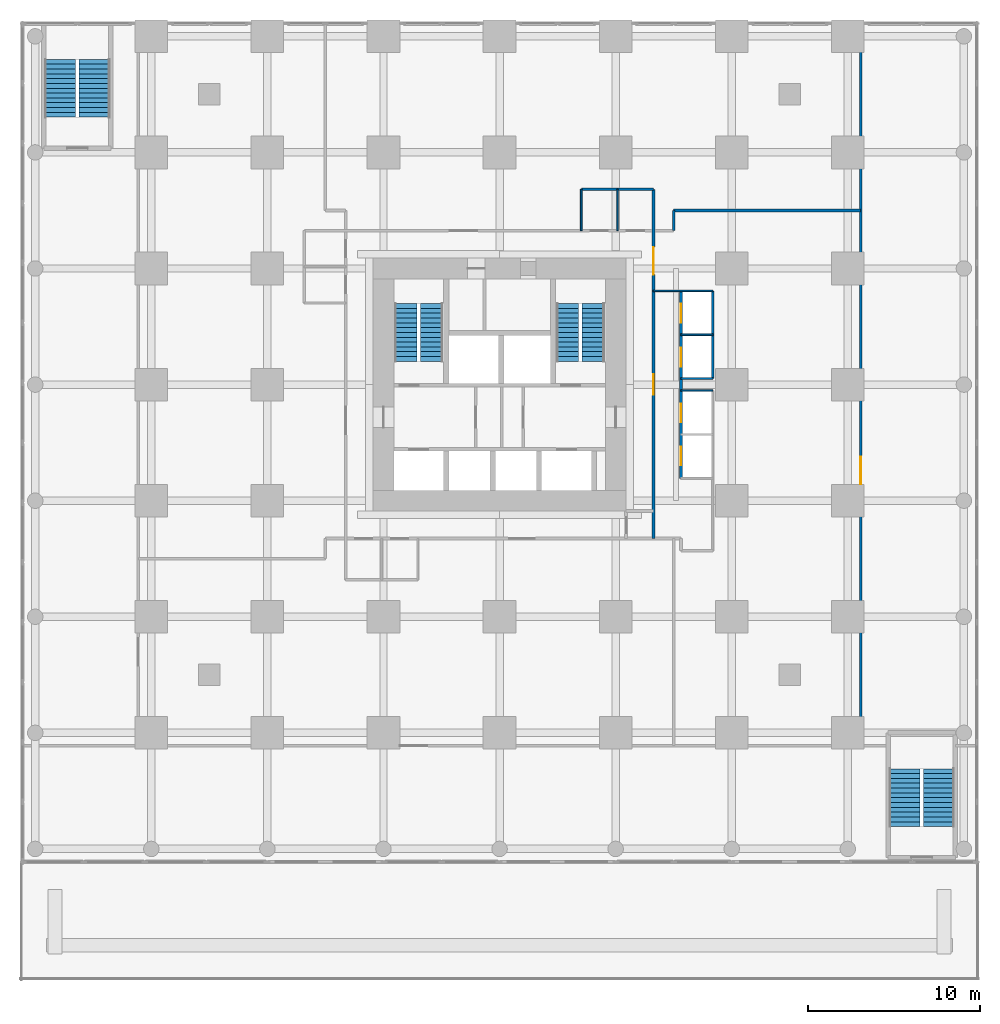
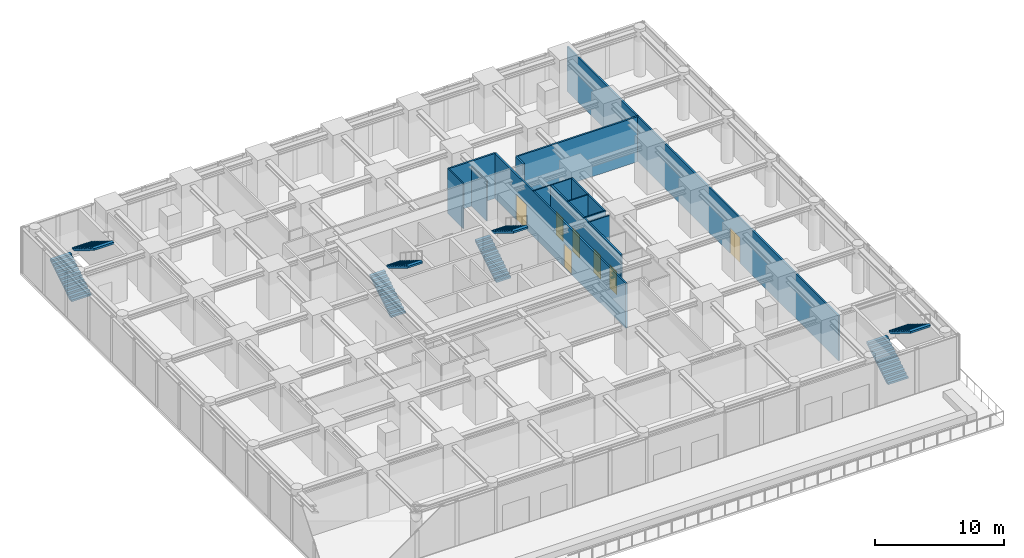
# One storey, part 9 of 10: 13 walls, 8 stair flights, 7 doors, 7 openings, 4 elements without a shape of their own.
"""IFC4 building model written with IfcOpenShell, lengths in metres."""

from ifc_helpers import new_model, si_unit, direction, frame, frame_2d, origin, place, context, subcontext, project, spatial, polyline, rectangle, outline, extrude, material, layer, layer_set, type_object, element, fill, aggregate, save


model = new_model("IFC4")

# Units and contexts
model_context = context("Model", 3, precision=1e-05, world=origin(), true_north=direction((0.0, 1.0)))
body_context = subcontext(model_context, "Body", "Model", "MODEL_VIEW")
ifc_project = project(units=[si_unit("LENGTHUNIT", "METRE"), si_unit("AREAUNIT", "SQUARE_METRE"), si_unit("VOLUMEUNIT", "CUBIC_METRE"), si_unit("PLANEANGLEUNIT", "RADIAN"), si_unit("MASSUNIT", "GRAM", prefix="KILO")], contexts=[model_context])

# Site, building, storey
site_placement = place(None, origin())
site = spatial("IfcSite", under=ifc_project, at=site_placement, CompositionType="ELEMENT")
building_placement = place(site_placement, origin())
building = spatial("IfcBuilding", under=site, at=building_placement, Name="Nyansa Garden Tower", CompositionType="ELEMENT")
storey_placement = place(building_placement, frame((0.0, 0.0, 9.0)))
storey = spatial("IfcBuildingStorey", under=building, at=storey_placement, Name="L02", CompositionType="ELEMENT", Elevation=9.0)

# Walls
ifc_material_1 = material(Name="Steel-stud shaft wall, two layers fire-rated board, EI 120", Category="steel")
ifc_layer_1 = layer(ifc_material_1, 0.10009765625)
ifc_layer_set_1 = layer_set([ifc_layer_1], Name="Lift shaft wall SW100")
wall_type_1 = type_object("IfcWallType", Name="Lift shaft wall SW100", PredefinedType="SHEAR", material=ifc_layer_set_1)
wall_1_placement = place(storey_placement, frame((29.199951171875, 25.699951171875, 0.0), z_axis=(0.0, 0.0, 1.0), x_axis=(1.0, 0.0, 0.0)))
element("IfcWall", 1, at=wall_1_placement, inside=storey, type_object=wall_type_1, Name="Lift shaft wall", PredefinedType="SHEAR", context=body_context, shape_type="SweptSolid", body=[
    extrude(rectangle(XDim=3.449951171875, YDim=0.10009765625, at=frame_2d((1.72509765625, 0.0))), origin(), (0.0, 0.0, 1.0), 4.25),
])
for number, where, z_axis, x_axis, name in (
    (2, (30.800048828125, 19.89990234375, 0.0), (0.0, 0.0, 1.0), (1.0, 0.0, 0.0), "Lift shaft wall"),
    (3, (30.800048828125, 20.60009765625, 0.0), (0.0, 0.0, 1.0), (1.0, 0.0, 0.0), "Lift shaft wall"),
    (4, (30.800048828125, 23.14990234375, 0.0), (0.0, 0.0, 1.0), (1.0, 0.0, 0.0), "Lift shaft wall"),
):
    element("IfcWall", number, at=place(storey_placement, frame(where, z_axis=z_axis, x_axis=x_axis)), inside=storey, type_object=wall_type_1, Name=name, PredefinedType="SHEAR", context=body_context, shape_type="SweptSolid", body=[
        extrude(rectangle(XDim=1.849853515625, YDim=0.10009765625, at=frame_2d((0.9248046875, 0.0))), origin(), (0.0, 0.0, 1.0), 4.25),
    ])
ifc_material_2 = material(Name="Blockwork, plastered both sides", Category="masonry")
ifc_layer_2 = layer(ifc_material_2, 0.14990234375)
ifc_layer_set_2 = layer_set([ifc_layer_2], Name="Partition PW150")
wall_type_2 = type_object("IfcWallType", Name="Partition PW150", PredefinedType="PARTITIONING", material=ifc_layer_set_2)
wall_2_placement = place(storey_placement, frame((25.0, 31.60009765625, 0.0), z_axis=(0.0, 0.0, 1.0), x_axis=(1.0, 0.0, 0.0)))
element("IfcWall", 5, at=wall_2_placement, inside=storey, type_object=wall_type_2, Name="Partition", PredefinedType="PARTITIONING", context=body_context, shape_type="SweptSolid", body=[
    extrude(rectangle(XDim=4.199951171875, YDim=0.14990234375, at=frame_2d((2.10009765625, 0.0))), origin(), (0.0, 0.0, 1.0), 4.25),
])

# Wall, openings, doors
wall_3_placement = place(storey_placement, frame((29.199951171875, 11.300048828125, 0.0), z_axis=(0.0, 0.0, 1.0), x_axis=(0.0, 1.0, 0.0)))
wall_3 = element("IfcWall", 6, at=wall_3_placement, inside=storey, type_object=wall_type_2, Name="Partition", PredefinedType="PARTITIONING", context=body_context, shape_type="SweptSolid", body=[
    extrude(rectangle(XDim=20.300048828125, YDim=0.14990234375, at=frame_2d((10.14990234375, 0.0))), origin(), (0.0, 0.0, 1.0), 4.25),
])
opening_1_placement = place(wall_3_placement, frame((15.35009765625, 0.0, 0.0)))
opening_1 = element("IfcOpeningElement", 7, at=opening_1_placement, cuts=wall_3, Name="Opening D12", PredefinedType="OPENING", context=body_context, shape_type="SweptSolid", body=[
    extrude(rectangle(XDim=1.60009765625, YDim=2.39990234375, at=frame_2d((0.800048828125, 1.199951171875))), frame((0.0, 0.0849609375, 0.0), z_axis=(0.0, -1.0, 0.0), x_axis=(1.0, 0.0, 0.0)), (0.0, 0.0, 1.0), 0.169921875),
])
opening_2_placement = place(wall_3_placement, frame((8.35009765625, 0.0, 0.0)))
opening_2 = element("IfcOpeningElement", 8, at=opening_2_placement, cuts=wall_3, Name="Opening D06", PredefinedType="OPENING", context=body_context, shape_type="SweptSolid", body=[
    extrude(rectangle(XDim=1.199951171875, YDim=2.199951171875, at=frame_2d((0.60009765625, 1.10009765625))), frame((0.0, 0.0849609375, 0.0), z_axis=(0.0, -1.0, 0.0), x_axis=(1.0, 0.0, 0.0)), (0.0, 0.0, 1.0), 0.169921875),
])
ifc_material_3 = material(Name="Black aluminium glazed door, 60 minute fire resisting", Category="aluminium")
door_type_1 = type_object("IfcDoorType", Name="Amenity door D12 1600x2400", OperationType="DOUBLE_DOOR_SINGLE_SWING", PredefinedType="DOOR", material=ifc_material_3)
door_1_placement = place(opening_1_placement, origin())
door_1 = element("IfcDoor", 9, at=door_1_placement, inside=storey, type_object=door_type_1, Name="Door L02-023", OperationType="DOUBLE_DOOR_SINGLE_SWING", OverallHeight=2.39990234375, OverallWidth=1.60009765625, PredefinedType="DOOR", context=body_context, shape_type="SweptSolid", body=[
    extrude(rectangle(XDim=1.60009765625, YDim=2.39990234375, at=frame_2d((0.800048828125, 1.199951171875))), frame((0.0, 0.02490234375, 0.0), z_axis=(0.0, -1.0, 0.0), x_axis=(1.0, 0.0, 0.0)), (0.0, 0.0, 1.0), 0.050048828125),
])
fill(opening_1, door_1)
ifc_material_4 = material(Name="Steel door, 120 minute fire resisting", Category="steel")
door_type_2 = type_object("IfcDoorType", Name="Lobby door D06 1200x2200", OperationType="DOUBLE_DOOR_SINGLE_SWING", PredefinedType="DOOR", material=ifc_material_4)
door_2_placement = place(opening_2_placement, origin())
door_2 = element("IfcDoor", 10, at=door_2_placement, inside=storey, type_object=door_type_2, Name="Low-rise lift lobby door", OperationType="DOUBLE_DOOR_SINGLE_SWING", OverallHeight=2.199951171875, OverallWidth=1.199951171875, PredefinedType="DOOR", context=body_context, shape_type="SweptSolid", body=[
    extrude(rectangle(XDim=1.199951171875, YDim=2.199951171875, at=frame_2d((0.60009765625, 1.10009765625))), frame((0.0, 0.02490234375, 0.0), z_axis=(0.0, -1.0, 0.0), x_axis=(1.0, 0.0, 0.0)), (0.0, 0.0, 1.0), 0.050048828125),
])
fill(opening_2, door_2)

# Walls
wall_4_placement = place(storey_placement, frame((30.375, 29.199951171875, 0.0), z_axis=(0.0, 0.0, 1.0), x_axis=(0.0, 1.0, 0.0)))
element("IfcWall", 11, at=wall_4_placement, inside=storey, type_object=wall_type_2, Name="Partition", PredefinedType="PARTITIONING", context=body_context, shape_type="SweptSolid", body=[
    extrude(rectangle(XDim=1.175048828125, YDim=0.14990234375, at=frame_2d((0.58740234375, 0.0))), origin(), (0.0, 0.0, 1.0), 4.25),
])
wall_5_placement = place(storey_placement, frame((30.375, 30.375, 0.0), z_axis=(0.0, 0.0, 1.0), x_axis=(1.0, 0.0, 0.0)))
element("IfcWall", 12, at=wall_5_placement, inside=storey, type_object=wall_type_2, Name="Partition", PredefinedType="PARTITIONING", context=body_context, shape_type="SweptSolid", body=[
    extrude(rectangle(XDim=10.875, YDim=0.14990234375, at=frame_2d((5.4375, 0.0))), origin(), (0.0, 0.0, 1.0), 4.25),
])

# Wall, openings, doors
wall_6_placement = place(storey_placement, frame((30.800048828125, 14.800048828125, 0.0), z_axis=(0.0, 0.0, 1.0), x_axis=(0.0, 1.0, 0.0)))
wall_6 = element("IfcWall", 13, at=wall_6_placement, inside=storey, type_object=wall_type_2, Name="Partition", PredefinedType="PARTITIONING", context=body_context, shape_type="SweptSolid", body=[
    extrude(rectangle(XDim=10.89990234375, YDim=0.14990234375, at=frame_2d((5.449951171875, 0.0))), origin(), (0.0, 0.0, 1.0), 4.25),
])
opening_3_placement = place(wall_6_placement, frame((0.75, 0.0, 0.0)))
opening_3 = element("IfcOpeningElement", 14, at=opening_3_placement, cuts=wall_6, Name="Opening LD-A", PredefinedType="OPENING", context=body_context, shape_type="SweptSolid", body=[
    extrude(rectangle(XDim=1.10009765625, YDim=2.199951171875, at=frame_2d((0.550048828125, 1.10009765625))), frame((0.0, 0.0849609375, 0.0), z_axis=(0.0, -1.0, 0.0), x_axis=(1.0, 0.0, 0.0)), (0.0, 0.0, 1.0), 0.169921875),
])
opening_4_placement = place(wall_6_placement, frame((3.25, 0.0, 0.0)))
opening_4 = element("IfcOpeningElement", 15, at=opening_4_placement, cuts=wall_6, Name="Opening LD-A", PredefinedType="OPENING", context=body_context, shape_type="SweptSolid", body=[
    extrude(rectangle(XDim=1.10009765625, YDim=2.199951171875, at=frame_2d((0.550048828125, 1.10009765625))), frame((0.0, 0.0849609375, 0.0), z_axis=(0.0, -1.0, 0.0), x_axis=(1.0, 0.0, 0.0)), (0.0, 0.0, 1.0), 0.169921875),
])
opening_5_placement = place(wall_6_placement, frame((6.5, 0.0, 0.0)))
opening_5 = element("IfcOpeningElement", 16, at=opening_5_placement, cuts=wall_6, Name="Opening LD-A", PredefinedType="OPENING", context=body_context, shape_type="SweptSolid", body=[
    extrude(rectangle(XDim=1.10009765625, YDim=2.199951171875, at=frame_2d((0.550048828125, 1.10009765625))), frame((0.0, 0.0849609375, 0.0), z_axis=(0.0, -1.0, 0.0), x_axis=(1.0, 0.0, 0.0)), (0.0, 0.0, 1.0), 0.169921875),
])
opening_6_placement = place(wall_6_placement, frame((9.050048828125, 0.0, 0.0)))
opening_6 = element("IfcOpeningElement", 17, at=opening_6_placement, cuts=wall_6, Name="Opening LD-A", PredefinedType="OPENING", context=body_context, shape_type="SweptSolid", body=[
    extrude(rectangle(XDim=1.10009765625, YDim=2.199951171875, at=frame_2d((0.550048828125, 1.10009765625))), frame((0.0, 0.0849609375, 0.0), z_axis=(0.0, -1.0, 0.0), x_axis=(1.0, 0.0, 0.0)), (0.0, 0.0, 1.0), 0.169921875),
])
ifc_material_5 = material(Name="Stainless steel centre-opening landing door of the low-rise lift, E 120", Category="steel")
door_type_3 = type_object("IfcDoorType", Name="Lift landing door LD-A 1100x2200", OperationType="DOUBLE_DOOR_SLIDING", PredefinedType="DOOR", material=ifc_material_5)
door_3_placement = place(opening_3_placement, origin())
door_3 = element("IfcDoor", 18, at=door_3_placement, inside=storey, type_object=door_type_3, Name="Landing door A1", OperationType="DOUBLE_DOOR_SLIDING", OverallHeight=2.199951171875, OverallWidth=1.10009765625, PredefinedType="DOOR", context=body_context, shape_type="SweptSolid", body=[
    extrude(rectangle(XDim=1.10009765625, YDim=2.199951171875, at=frame_2d((0.550048828125, 1.10009765625))), frame((0.0, 0.02490234375, 0.0), z_axis=(0.0, -1.0, 0.0), x_axis=(1.0, 0.0, 0.0)), (0.0, 0.0, 1.0), 0.050048828125),
])
fill(opening_3, door_3)
door_4_placement = place(opening_4_placement, origin())
door_4 = element("IfcDoor", 19, at=door_4_placement, inside=storey, type_object=door_type_3, Name="Landing door A2", OperationType="DOUBLE_DOOR_SLIDING", OverallHeight=2.199951171875, OverallWidth=1.10009765625, PredefinedType="DOOR", context=body_context, shape_type="SweptSolid", body=[
    extrude(rectangle(XDim=1.10009765625, YDim=2.199951171875, at=frame_2d((0.550048828125, 1.10009765625))), frame((0.0, 0.02490234375, 0.0), z_axis=(0.0, -1.0, 0.0), x_axis=(1.0, 0.0, 0.0)), (0.0, 0.0, 1.0), 0.050048828125),
])
fill(opening_4, door_4)
door_5_placement = place(opening_5_placement, origin())
door_5 = element("IfcDoor", 20, at=door_5_placement, inside=storey, type_object=door_type_3, Name="Landing door A3", OperationType="DOUBLE_DOOR_SLIDING", OverallHeight=2.199951171875, OverallWidth=1.10009765625, PredefinedType="DOOR", context=body_context, shape_type="SweptSolid", body=[
    extrude(rectangle(XDim=1.10009765625, YDim=2.199951171875, at=frame_2d((0.550048828125, 1.10009765625))), frame((0.0, 0.02490234375, 0.0), z_axis=(0.0, -1.0, 0.0), x_axis=(1.0, 0.0, 0.0)), (0.0, 0.0, 1.0), 0.050048828125),
])
fill(opening_5, door_5)
door_6_placement = place(opening_6_placement, origin())
door_6 = element("IfcDoor", 21, at=door_6_placement, inside=storey, type_object=door_type_3, Name="Landing door A4", OperationType="DOUBLE_DOOR_SLIDING", OverallHeight=2.199951171875, OverallWidth=1.10009765625, PredefinedType="DOOR", context=body_context, shape_type="SweptSolid", body=[
    extrude(rectangle(XDim=1.10009765625, YDim=2.199951171875, at=frame_2d((0.550048828125, 1.10009765625))), frame((0.0, 0.02490234375, 0.0), z_axis=(0.0, -1.0, 0.0), x_axis=(1.0, 0.0, 0.0)), (0.0, 0.0, 1.0), 0.050048828125),
])
fill(opening_6, door_6)

# Wall
wall_7_placement = place(storey_placement, frame((32.64990234375, 20.60009765625, 0.0), z_axis=(0.0, 0.0, 1.0), x_axis=(0.0, 1.0, 0.0)))
element("IfcWall", 22, at=wall_7_placement, inside=storey, type_object=wall_type_2, Name="Partition", PredefinedType="PARTITIONING", context=body_context, shape_type="SweptSolid", body=[
    extrude(rectangle(XDim=5.099853515625, YDim=0.14990234375, at=frame_2d((2.5498046875, 0.0))), origin(), (0.0, 0.0, 1.0), 4.25),
])

# Wall, opening, door
wall_8_placement = place(storey_placement, frame((41.25, -0.75, 0.0), z_axis=(0.0, 0.0, 1.0), x_axis=(0.0, 1.0, 0.0)))
wall_8 = element("IfcWall", 23, at=wall_8_placement, inside=storey, type_object=wall_type_2, Name="Partition", PredefinedType="PARTITIONING", context=body_context, shape_type="SweptSolid", body=[
    extrude(rectangle(XDim=41.98388671875, YDim=0.14990234375, at=frame_2d((20.991943359375, 0.0))), origin(), (0.0, 0.0, 1.0), 4.25),
])
opening_7_placement = place(wall_8_placement, frame((15.199951171875, 0.0, 0.0)))
opening_7 = element("IfcOpeningElement", 24, at=opening_7_placement, cuts=wall_8, Name="Opening D12", PredefinedType="OPENING", context=body_context, shape_type="SweptSolid", body=[
    extrude(rectangle(XDim=1.60009765625, YDim=2.39990234375, at=frame_2d((0.800048828125, 1.199951171875))), frame((0.0, 0.0849609375, 0.0), z_axis=(0.0, -1.0, 0.0), x_axis=(1.0, 0.0, 0.0)), (0.0, 0.0, 1.0), 0.169921875),
])
door_7_placement = place(opening_7_placement, origin())
door_7 = element("IfcDoor", 25, at=door_7_placement, inside=storey, type_object=door_type_1, Name="Door L02-032", OperationType="DOUBLE_DOOR_SINGLE_SWING", OverallHeight=2.39990234375, OverallWidth=1.60009765625, PredefinedType="DOOR", context=body_context, shape_type="SweptSolid", body=[
    extrude(rectangle(XDim=1.60009765625, YDim=2.39990234375, at=frame_2d((0.800048828125, 1.199951171875))), frame((0.0, 0.02490234375, 0.0), z_axis=(0.0, -1.0, 0.0), x_axis=(1.0, 0.0, 0.0)), (0.0, 0.0, 1.0), 0.050048828125),
])
fill(opening_7, door_7)

# Walls
ifc_material_6 = material(Name="Moisture resistant board on steel studs, tiled", Category="steel")
ifc_layer_3 = layer(ifc_material_6, 0.10009765625)
ifc_layer_set_3 = layer_set([ifc_layer_3], Name="Wet wall PW100")
wall_type_3 = type_object("IfcWallType", Name="Wet wall PW100", PredefinedType="PARTITIONING", material=ifc_layer_set_3)
wall_9_placement = place(storey_placement, frame((25.0, 29.199951171875, 0.0), z_axis=(0.0, 0.0, 1.0), x_axis=(0.0, 1.0, 0.0)))
element("IfcWall", 26, at=wall_9_placement, inside=storey, type_object=wall_type_3, Name="Wet wall", PredefinedType="PARTITIONING", context=body_context, shape_type="SweptSolid", body=[
    extrude(rectangle(XDim=2.400146484375, YDim=0.10009765625, at=frame_2d((1.2001953125, 0.0))), origin(), (0.0, 0.0, 1.0), 4.25),
])
wall_10_placement = place(storey_placement, frame((27.10009765625, 29.199951171875, 0.0), z_axis=(0.0, 0.0, 1.0), x_axis=(0.0, 1.0, 0.0)))
element("IfcWall", 27, at=wall_10_placement, inside=storey, type_object=wall_type_3, Name="Wet wall", PredefinedType="PARTITIONING", context=body_context, shape_type="SweptSolid", body=[
    extrude(rectangle(XDim=2.400146484375, YDim=0.10009765625, at=frame_2d((1.2001953125, 0.0))), origin(), (0.0, 0.0, 1.0), 3.751953125),
])

# Stair, stair flights
ifc_material_7 = material(Name="Precast concrete C40/50", Category="concrete")
stair_type_1 = type_object("IfcStairType", Name="Stair S1 173x280", PredefinedType="HALF_TURN_STAIR", material=ifc_material_7)
stair_1_placement = place(storey_placement, origin())
stair_1 = element("IfcStair", 28, at=stair_1_placement, inside=storey, type_object=stair_type_1, Name="Stair S1 L02", PredefinedType="HALF_TURN_STAIR")
ifc_material_8 = material(Name="Precast concrete C40/50", Category="concrete")
stair_flight_type_1 = type_object("IfcStairFlightType", Name="Stair flight S1 173x280x13", PredefinedType="STRAIGHT", material=ifc_material_8)
stair_flight_1_placement = place(storey_placement, frame((14.800048828125, 21.60009765625, 0.0), z_axis=(0.0, 0.0, 1.0), x_axis=(0.0, 1.0, 0.0)))
stair_flight_1 = element("IfcStairFlight", 29, at=stair_flight_1_placement, type_object=stair_flight_type_1, Name="S1 flight 1", NumberOfRisers=13, NumberOfTreads=12, PredefinedType="STRAIGHT", RiserHeight=0.173076923, TreadLength=0.28, context=body_context, shape_type="SweptSolid", body=[
    extrude(outline(polyline([(0.0, 0.0), (0.0, 0.173095703125), (0.280029296875, 0.173095703125), (0.280029296875, 0.34619140625), (0.56005859375, 0.34619140625), (0.56005859375, 0.519287109375), (0.840087890625, 0.519287109375), (0.840087890625, 0.6923828125), (1.1201171875, 0.6923828125), (1.1201171875, 0.865478515625), (1.39990234375, 0.865478515625), (1.39990234375, 1.03857421875), (1.679931640625, 1.03857421875), (1.679931640625, 1.21142578125), (1.9599609375, 1.21142578125), (1.9599609375, 1.384521484375), (2.239990234375, 1.384521484375), (2.239990234375, 1.5576171875), (2.52001953125, 1.5576171875), (2.52001953125, 1.730712890625), (2.800048828125, 1.730712890625), (2.800048828125, 1.90380859375), (3.080078125, 1.90380859375), (3.080078125, 2.076904296875), (3.360107421875, 2.076904296875), (3.360107421875, 2.25), (3.360107421875, 1.900634765625), (0.28515625, 0.0), (0.0, 0.0)])), frame((0.0, 0.64990234375, 0.0), z_axis=(0.0, -1.0, 0.0), x_axis=(1.0, 0.0, 0.0)), (0.0, 0.0, 1.0), 1.300048828125),
])
stair_flight_2_placement = place(storey_placement, frame((16.300048828125, 24.9599609375, 2.25), z_axis=(0.0, 0.0, 1.0), x_axis=(0.0, -1.0, 0.0)))
stair_flight_2 = element("IfcStairFlight", 30, at=stair_flight_2_placement, type_object=stair_flight_type_1, Name="S1 flight 2", NumberOfRisers=13, NumberOfTreads=12, PredefinedType="STRAIGHT", RiserHeight=0.173076923, TreadLength=0.28, context=body_context, shape_type="SweptSolid", body=[
    extrude(outline(polyline([(0.0, 0.0), (0.0, 0.173095703125), (0.280029296875, 0.173095703125), (0.280029296875, 0.34619140625), (0.56005859375, 0.34619140625), (0.56005859375, 0.519287109375), (0.840087890625, 0.519287109375), (0.840087890625, 0.6923828125), (1.1201171875, 0.6923828125), (1.1201171875, 0.865478515625), (1.39990234375, 0.865478515625), (1.39990234375, 1.03857421875), (1.679931640625, 1.03857421875), (1.679931640625, 1.21142578125), (1.9599609375, 1.21142578125), (1.9599609375, 1.384521484375), (2.239990234375, 1.384521484375), (2.239990234375, 1.5576171875), (2.52001953125, 1.5576171875), (2.52001953125, 1.730712890625), (2.800048828125, 1.730712890625), (2.800048828125, 1.90380859375), (3.080078125, 1.90380859375), (3.080078125, 2.076904296875), (3.360107421875, 2.076904296875), (3.360107421875, 2.25), (3.360107421875, 1.900634765625), (0.28515625, 0.0), (0.0, 0.0)])), frame((0.0, 0.64990234375, 0.0), z_axis=(0.0, -1.0, 0.0), x_axis=(1.0, 0.0, 0.0)), (0.0, 0.0, 1.0), 1.300048828125),
])
aggregate(stair_1, [stair_flight_1, stair_flight_2])

ifc_material_9 = material(Name="Precast concrete C40/50", Category="concrete")
stair_type_2 = type_object("IfcStairType", Name="Stair S2 173x280", PredefinedType="HALF_TURN_STAIR", material=ifc_material_9)
stair_2_placement = place(storey_placement, origin())
stair_2 = element("IfcStair", 31, at=stair_2_placement, inside=storey, type_object=stair_type_2, Name="Stair S2 L02", PredefinedType="HALF_TURN_STAIR")
ifc_material_10 = material(Name="Precast concrete C40/50", Category="concrete")
stair_flight_type_2 = type_object("IfcStairFlightType", Name="Stair flight S2 173x280x13", PredefinedType="STRAIGHT", material=ifc_material_10)
stair_flight_3_placement = place(storey_placement, frame((24.199951171875, 21.60009765625, 0.0), z_axis=(0.0, 0.0, 1.0), x_axis=(0.0, 1.0, 0.0)))
stair_flight_3 = element("IfcStairFlight", 32, at=stair_flight_3_placement, type_object=stair_flight_type_2, Name="S2 flight 1", NumberOfRisers=13, NumberOfTreads=12, PredefinedType="STRAIGHT", RiserHeight=0.173076923, TreadLength=0.28, context=body_context, shape_type="SweptSolid", body=[
    extrude(outline(polyline([(0.0, 0.0), (0.0, 0.173095703125), (0.280029296875, 0.173095703125), (0.280029296875, 0.34619140625), (0.56005859375, 0.34619140625), (0.56005859375, 0.519287109375), (0.840087890625, 0.519287109375), (0.840087890625, 0.6923828125), (1.1201171875, 0.6923828125), (1.1201171875, 0.865478515625), (1.39990234375, 0.865478515625), (1.39990234375, 1.03857421875), (1.679931640625, 1.03857421875), (1.679931640625, 1.21142578125), (1.9599609375, 1.21142578125), (1.9599609375, 1.384521484375), (2.239990234375, 1.384521484375), (2.239990234375, 1.5576171875), (2.52001953125, 1.5576171875), (2.52001953125, 1.730712890625), (2.800048828125, 1.730712890625), (2.800048828125, 1.90380859375), (3.080078125, 1.90380859375), (3.080078125, 2.076904296875), (3.360107421875, 2.076904296875), (3.360107421875, 2.25), (3.360107421875, 1.900634765625), (0.28515625, 0.0), (0.0, 0.0)])), frame((0.0, 0.64990234375, 0.0), z_axis=(0.0, -1.0, 0.0), x_axis=(1.0, 0.0, 0.0)), (0.0, 0.0, 1.0), 1.300048828125),
])
stair_flight_4_placement = place(storey_placement, frame((25.699951171875, 24.9599609375, 2.25), z_axis=(0.0, 0.0, 1.0), x_axis=(0.0, -1.0, 0.0)))
stair_flight_4 = element("IfcStairFlight", 33, at=stair_flight_4_placement, type_object=stair_flight_type_2, Name="S2 flight 2", NumberOfRisers=13, NumberOfTreads=12, PredefinedType="STRAIGHT", RiserHeight=0.173076923, TreadLength=0.28, context=body_context, shape_type="SweptSolid", body=[
    extrude(outline(polyline([(0.0, 0.0), (0.0, 0.173095703125), (0.280029296875, 0.173095703125), (0.280029296875, 0.34619140625), (0.56005859375, 0.34619140625), (0.56005859375, 0.519287109375), (0.840087890625, 0.519287109375), (0.840087890625, 0.6923828125), (1.1201171875, 0.6923828125), (1.1201171875, 0.865478515625), (1.39990234375, 0.865478515625), (1.39990234375, 1.03857421875), (1.679931640625, 1.03857421875), (1.679931640625, 1.21142578125), (1.9599609375, 1.21142578125), (1.9599609375, 1.384521484375), (2.239990234375, 1.384521484375), (2.239990234375, 1.5576171875), (2.52001953125, 1.5576171875), (2.52001953125, 1.730712890625), (2.800048828125, 1.730712890625), (2.800048828125, 1.90380859375), (3.080078125, 1.90380859375), (3.080078125, 2.076904296875), (3.360107421875, 2.076904296875), (3.360107421875, 2.25), (3.360107421875, 1.900634765625), (0.28515625, 0.0), (0.0, 0.0)])), frame((0.0, 0.64990234375, 0.0), z_axis=(0.0, -1.0, 0.0), x_axis=(1.0, 0.0, 0.0)), (0.0, 0.0, 1.0), 1.300048828125),
])
aggregate(stair_2, [stair_flight_3, stair_flight_4])

ifc_material_11 = material(Name="Precast concrete C40/50", Category="concrete")
stair_type_3 = type_object("IfcStairType", Name="Stair S3 173x280", PredefinedType="HALF_TURN_STAIR", material=ifc_material_11)
stair_3_placement = place(storey_placement, origin())
stair_3 = element("IfcStair", 34, at=stair_3_placement, inside=storey, type_object=stair_type_3, Name="Stair S3 L02", PredefinedType="HALF_TURN_STAIR")
ifc_material_12 = material(Name="Precast concrete C40/50", Category="concrete")
stair_flight_type_3 = type_object("IfcStairFlightType", Name="Stair flight S3 173x280x13", PredefinedType="STRAIGHT", material=ifc_material_12)
stair_flight_5_placement = place(storey_placement, frame((-5.300048828125, 35.800048828125, 0.0), z_axis=(0.0, 0.0, 1.0), x_axis=(0.0, 1.0, 0.0)))
stair_flight_5 = element("IfcStairFlight", 35, at=stair_flight_5_placement, type_object=stair_flight_type_3, Name="S3 flight 1", NumberOfRisers=13, NumberOfTreads=12, PredefinedType="STRAIGHT", RiserHeight=0.173076923, TreadLength=0.28, context=body_context, shape_type="SweptSolid", body=[
    extrude(outline(polyline([(0.0, 0.0), (0.0, 0.173095703125), (0.280029296875, 0.173095703125), (0.280029296875, 0.34619140625), (0.56005859375, 0.34619140625), (0.56005859375, 0.519287109375), (0.840087890625, 0.519287109375), (0.840087890625, 0.6923828125), (1.1201171875, 0.6923828125), (1.1201171875, 0.865478515625), (1.39990234375, 0.865478515625), (1.39990234375, 1.03857421875), (1.679931640625, 1.03857421875), (1.679931640625, 1.21142578125), (1.9599609375, 1.21142578125), (1.9599609375, 1.384521484375), (2.239990234375, 1.384521484375), (2.239990234375, 1.5576171875), (2.52001953125, 1.5576171875), (2.52001953125, 1.730712890625), (2.800048828125, 1.730712890625), (2.800048828125, 1.90380859375), (3.080078125, 1.90380859375), (3.080078125, 2.076904296875), (3.360107421875, 2.076904296875), (3.360107421875, 2.25), (3.360107421875, 1.900634765625), (0.28515625, 0.0), (0.0, 0.0)])), frame((0.0, 0.89990234375, 0.0), z_axis=(0.0, -1.0, 0.0), x_axis=(1.0, 0.0, 0.0)), (0.0, 0.0, 1.0), 1.800048828125),
])
stair_flight_6_placement = place(storey_placement, frame((-3.300048828125, 39.159912109375, 2.25), z_axis=(0.0, 0.0, 1.0), x_axis=(0.0, -1.0, 0.0)))
stair_flight_6 = element("IfcStairFlight", 36, at=stair_flight_6_placement, type_object=stair_flight_type_3, Name="S3 flight 2", NumberOfRisers=13, NumberOfTreads=12, PredefinedType="STRAIGHT", RiserHeight=0.173076923, TreadLength=0.28, context=body_context, shape_type="SweptSolid", body=[
    extrude(outline(polyline([(0.0, 0.0), (0.0, 0.173095703125), (0.280029296875, 0.173095703125), (0.280029296875, 0.34619140625), (0.56005859375, 0.34619140625), (0.56005859375, 0.519287109375), (0.840087890625, 0.519287109375), (0.840087890625, 0.6923828125), (1.1201171875, 0.6923828125), (1.1201171875, 0.865478515625), (1.39990234375, 0.865478515625), (1.39990234375, 1.03857421875), (1.679931640625, 1.03857421875), (1.679931640625, 1.21142578125), (1.9599609375, 1.21142578125), (1.9599609375, 1.384521484375), (2.239990234375, 1.384521484375), (2.239990234375, 1.5576171875), (2.52001953125, 1.5576171875), (2.52001953125, 1.730712890625), (2.800048828125, 1.730712890625), (2.800048828125, 1.90380859375), (3.080078125, 1.90380859375), (3.080078125, 2.076904296875), (3.360107421875, 2.076904296875), (3.360107421875, 2.25), (3.360107421875, 1.900634765625), (0.28515625, 0.0), (0.0, 0.0)])), frame((0.0, 0.89990234375, 0.0), z_axis=(0.0, -1.0, 0.0), x_axis=(1.0, 0.0, 0.0)), (0.0, 0.0, 1.0), 1.800048828125),
])
aggregate(stair_3, [stair_flight_5, stair_flight_6])

ifc_material_13 = material(Name="Precast concrete C40/50", Category="concrete")
stair_type_4 = type_object("IfcStairType", Name="Stair S4 173x280", PredefinedType="HALF_TURN_STAIR", material=ifc_material_13)
stair_4_placement = place(storey_placement, origin())
stair_4 = element("IfcStair", 37, at=stair_4_placement, inside=storey, type_object=stair_type_4, Name="Stair S4 L02", PredefinedType="HALF_TURN_STAIR")
ifc_material_14 = material(Name="Precast concrete C40/50", Category="concrete")
stair_flight_type_4 = type_object("IfcStairFlightType", Name="Stair flight S4 173x280x13", PredefinedType="STRAIGHT", material=ifc_material_14)
stair_flight_7_placement = place(storey_placement, frame((43.800048828125, -5.449951171875, 0.0), z_axis=(0.0, 0.0, 1.0), x_axis=(0.0, 1.0, 0.0)))
stair_flight_7 = element("IfcStairFlight", 38, at=stair_flight_7_placement, type_object=stair_flight_type_4, Name="S4 flight 1", NumberOfRisers=13, NumberOfTreads=12, PredefinedType="STRAIGHT", RiserHeight=0.173076923, TreadLength=0.28, context=body_context, shape_type="SweptSolid", body=[
    extrude(outline(polyline([(0.0, 0.0), (0.0, 0.173095703125), (0.280029296875, 0.173095703125), (0.280029296875, 0.34619140625), (0.56005859375, 0.34619140625), (0.56005859375, 0.519287109375), (0.840087890625, 0.519287109375), (0.840087890625, 0.6923828125), (1.1201171875, 0.6923828125), (1.1201171875, 0.865478515625), (1.39990234375, 0.865478515625), (1.39990234375, 1.03857421875), (1.679931640625, 1.03857421875), (1.679931640625, 1.21142578125), (1.9599609375, 1.21142578125), (1.9599609375, 1.384521484375), (2.239990234375, 1.384521484375), (2.239990234375, 1.5576171875), (2.52001953125, 1.5576171875), (2.52001953125, 1.730712890625), (2.800048828125, 1.730712890625), (2.800048828125, 1.90380859375), (3.080078125, 1.90380859375), (3.080078125, 2.076904296875), (3.360107421875, 2.076904296875), (3.360107421875, 2.25), (3.360107421875, 1.900634765625), (0.28515625, 0.0), (0.0, 0.0)])), frame((0.0, 0.89990234375, 0.0), z_axis=(0.0, -1.0, 0.0), x_axis=(1.0, 0.0, 0.0)), (0.0, 0.0, 1.0), 1.800048828125),
])
stair_flight_8_placement = place(storey_placement, frame((45.800048828125, -2.090087890625, 2.25), z_axis=(0.0, 0.0, 1.0), x_axis=(0.0, -1.0, 0.0)))
stair_flight_8 = element("IfcStairFlight", 39, at=stair_flight_8_placement, type_object=stair_flight_type_4, Name="S4 flight 2", NumberOfRisers=13, NumberOfTreads=12, PredefinedType="STRAIGHT", RiserHeight=0.173076923, TreadLength=0.28, context=body_context, shape_type="SweptSolid", body=[
    extrude(outline(polyline([(0.0, 0.0), (0.0, 0.173095703125), (0.280029296875, 0.173095703125), (0.280029296875, 0.34619140625), (0.56005859375, 0.34619140625), (0.56005859375, 0.519287109375), (0.840087890625, 0.519287109375), (0.840087890625, 0.6923828125), (1.1201171875, 0.6923828125), (1.1201171875, 0.865478515625), (1.39990234375, 0.865478515625), (1.39990234375, 1.03857421875), (1.679931640625, 1.03857421875), (1.679931640625, 1.21142578125), (1.9599609375, 1.21142578125), (1.9599609375, 1.384521484375), (2.239990234375, 1.384521484375), (2.239990234375, 1.5576171875), (2.52001953125, 1.5576171875), (2.52001953125, 1.730712890625), (2.800048828125, 1.730712890625), (2.800048828125, 1.90380859375), (3.080078125, 1.90380859375), (3.080078125, 2.076904296875), (3.360107421875, 2.076904296875), (3.360107421875, 2.25), (3.360107421875, 1.900634765625), (0.28515625, 0.0), (0.0, 0.0)])), frame((0.0, 0.89990234375, 0.0), z_axis=(0.0, -1.0, 0.0), x_axis=(1.0, 0.0, 0.0)), (0.0, 0.0, 1.0), 1.800048828125),
])
aggregate(stair_4, [stair_flight_7, stair_flight_8])

save(model, "model.ifc")
